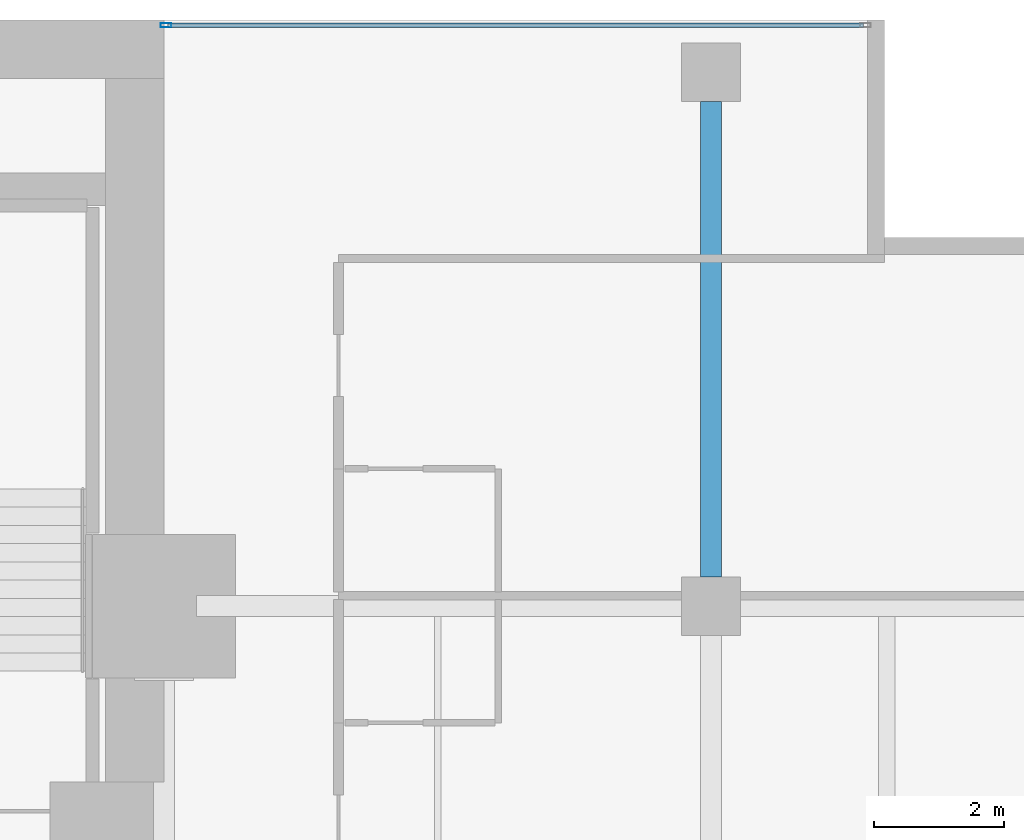
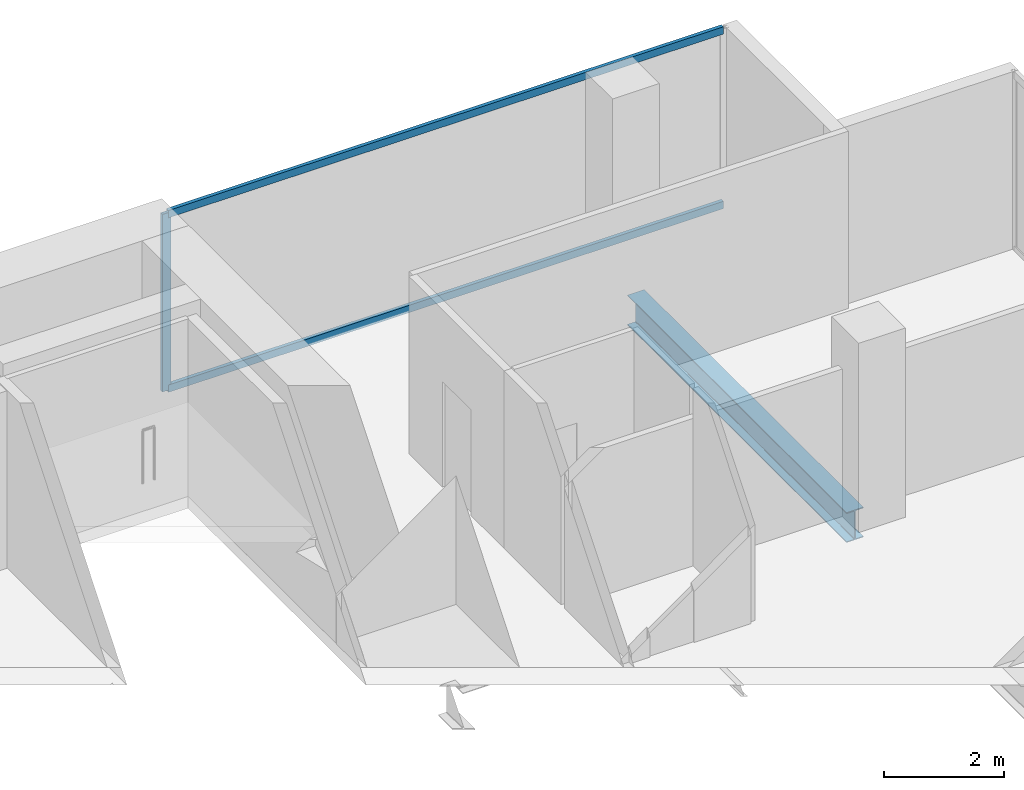
# One storey, part 30 of 40: 3 members, 1 beam, 1 element without a shape of its own.
"""IFC4 building model written with IfcOpenShell, lengths in metres."""

from ifc_helpers import new_model, si_unit, direction, frame, origin, origin_2d, place, context, subcontext, project, spatial, hollow_rectangle, i_section, extrude, material, layer, layer_set, material_profile, profile_set, type_object, element, aggregate, save


model = new_model("IFC4")

# Units and contexts
model_context = context("Model", 3, precision=1e-05, world=origin(), true_north=direction((0.0, 1.0)))
body_context = subcontext(model_context, "Body", "Model", "MODEL_VIEW")
ifc_project = project(units=[si_unit("LENGTHUNIT", "METRE"), si_unit("AREAUNIT", "SQUARE_METRE"), si_unit("VOLUMEUNIT", "CUBIC_METRE"), si_unit("PLANEANGLEUNIT", "RADIAN"), si_unit("MASSUNIT", "GRAM", prefix="KILO")], contexts=[model_context])

# Site, building, storey
site_placement = place(None, origin())
site = spatial("IfcSite", under=ifc_project, at=site_placement, CompositionType="ELEMENT")
building_placement = place(site_placement, origin())
building = spatial("IfcBuilding", under=site, at=building_placement, Name="Maruvema Waterfront Hotel and Observation Tower", CompositionType="ELEMENT")
storey_placement = place(building_placement, frame((0.0, 0.0, 80.85009765625)))
storey = spatial("IfcBuildingStorey", under=building, at=storey_placement, Name="L19", CompositionType="ELEMENT", Elevation=80.85009765625)

# Curtain wall, members
ifc_material_1 = material(Name="Anodised bronze aluminium and solar-control low-E IGU", Category="aluminium")
ifc_layer = layer(ifc_material_1, 0.159912109375, Name="Zone 1 Bronze Inner Thermal Curtain Wall System CW-02")
ifc_layer_set = layer_set([ifc_layer], Name="Anodised bronze aluminium and solar-control low-E IGU")
curtain_wall_type = type_object("IfcCurtainWallType", Name="Zone 1 Bronze Inner Thermal Curtain Wall System CW-02", PredefinedType="USERDEFINED", material=ifc_layer_set)
curtain_wall_placement = place(storey_placement, origin())
curtain_wall = element("IfcCurtainWall", 1, at=curtain_wall_placement, inside=storey, type_object=curtain_wall_type, Name="L19 Curtain Wall CW-L19-NE", ObjectType="UNITISED CURTAIN WALL", PredefinedType="USERDEFINED")
ifc_material_2 = material(Name="Anodised architectural bronze aluminium", Category="aluminium")
ifc_material_profile_1 = material_profile(ifc_material_2, hollow_rectangle(XDim=0.070068359375, YDim=0.14990234375, WallThickness=0.00390625, at=origin_2d()), Name="ALU-T70x150")
ifc_profile_set_1 = profile_set([ifc_material_profile_1], Name="Anodised architectural bronze aluminium")
member_type_1 = type_object("IfcMemberType", Name="Curtain Wall Horizontal Transom ALU-T70x150", PredefinedType="USERDEFINED", material=ifc_profile_set_1)
member_1_placement = place(storey_placement, frame((61.139892578125, 53.919921875, 0.02978515625), z_axis=(-1.0, 0.0, 0.0), x_axis=(0.0, -1.0, 0.0)))
member_1 = element("IfcMember", 2, at=member_1_placement, type_object=member_type_1, Name="CW-02 transom 1.1", ObjectType="TRANSOM", PredefinedType="USERDEFINED", context=body_context, shape_type="SweptSolid", body=[
    extrude(hollow_rectangle(XDim=0.070068359375, YDim=0.14990234375, WallThickness=0.00390625, at=origin_2d()), origin(), (0.0, 0.0, 1.0), 10.679931640625),
])
member_2_placement = place(storey_placement, frame((61.139892578125, 53.919921875, 3.579833984375), z_axis=(-1.0, 0.0, 0.0), x_axis=(0.0, -1.0, 0.0)))
member_2 = element("IfcMember", 3, at=member_2_placement, type_object=member_type_1, Name="CW-02 transom 1.2", ObjectType="TRANSOM", PredefinedType="USERDEFINED", context=body_context, shape_type="SweptSolid", body=[
    extrude(hollow_rectangle(XDim=0.070068359375, YDim=0.14990234375, WallThickness=0.00390625, at=origin_2d()), origin(), (0.0, 0.0, 1.0), 10.679931640625),
])
ifc_material_3 = material(Name="Anodised architectural bronze aluminium", Category="aluminium")
ifc_material_profile_2 = material_profile(ifc_material_3, hollow_rectangle(XDim=0.06494140625, YDim=0.1650390625, WallThickness=0.00390625, at=origin_2d()), Name="ALU-M65x165")
ifc_profile_set_2 = profile_set([ifc_material_profile_2], Name="Anodised architectural bronze aluminium")
member_type_2 = type_object("IfcMemberType", Name="Curtain Wall Primary Mullion ALU-M65x165", PredefinedType="MULLION", material=ifc_profile_set_2)
member_3_placement = place(storey_placement, frame((50.429931640625, 53.919921875, 0.0), z_axis=(0.0, 0.0, 1.0), x_axis=(0.0, -1.0, 0.0)))
member_3 = element("IfcMember", 4, at=member_3_placement, type_object=member_type_2, Name="CW-02 mullion 2", PredefinedType="MULLION", context=body_context, shape_type="SweptSolid", body=[
    extrude(hollow_rectangle(XDim=0.06494140625, YDim=0.1650390625, WallThickness=0.00390625, at=origin_2d()), origin(), (0.0, 0.0, 1.0), 3.60986328125),
])
aggregate(curtain_wall, [member_3, member_1, member_2])

# Beam
ifc_material_4 = material(Name="Steel ASTM A572 Grade 50", Category="steel")
ifc_material_profile_3 = material_profile(ifc_material_4, i_section(OverallWidth=0.323974609375, OverallDepth=0.611083984375, WebThickness=0.0126953125, FlangeThickness=0.01904296875, FilletRadius=0.01806640625, at=origin_2d()), Name="W610x155.0")
ifc_profile_set_3 = profile_set([ifc_material_profile_3], Name="Steel ASTM A572 Grade 50")
beam_type = type_object("IfcBeamType", Name="Primary Floor Girder W610x155.0", PredefinedType="BEAM", material=ifc_profile_set_3)
beam_placement = place(storey_placement, frame((58.800048828125, 45.449951171875, -0.545654296875), z_axis=(0.0, 1.0, 0.0), x_axis=(-1.0, 0.0, 0.0)))
element("IfcBeam", 5, at=beam_placement, inside=storey, type_object=beam_type, Name="L19 Floor Girder NS-32", PredefinedType="BEAM", context=body_context, shape_type="SweptSolid", body=[
    extrude(i_section(OverallWidth=0.323974609375, OverallDepth=0.611083984375, WebThickness=0.0126953125, FlangeThickness=0.01904296875, FilletRadius=0.01806640625, at=origin_2d()), origin(), (0.0, 0.0, 1.0), 7.300048828125),
])

save(model, "model.ifc")
